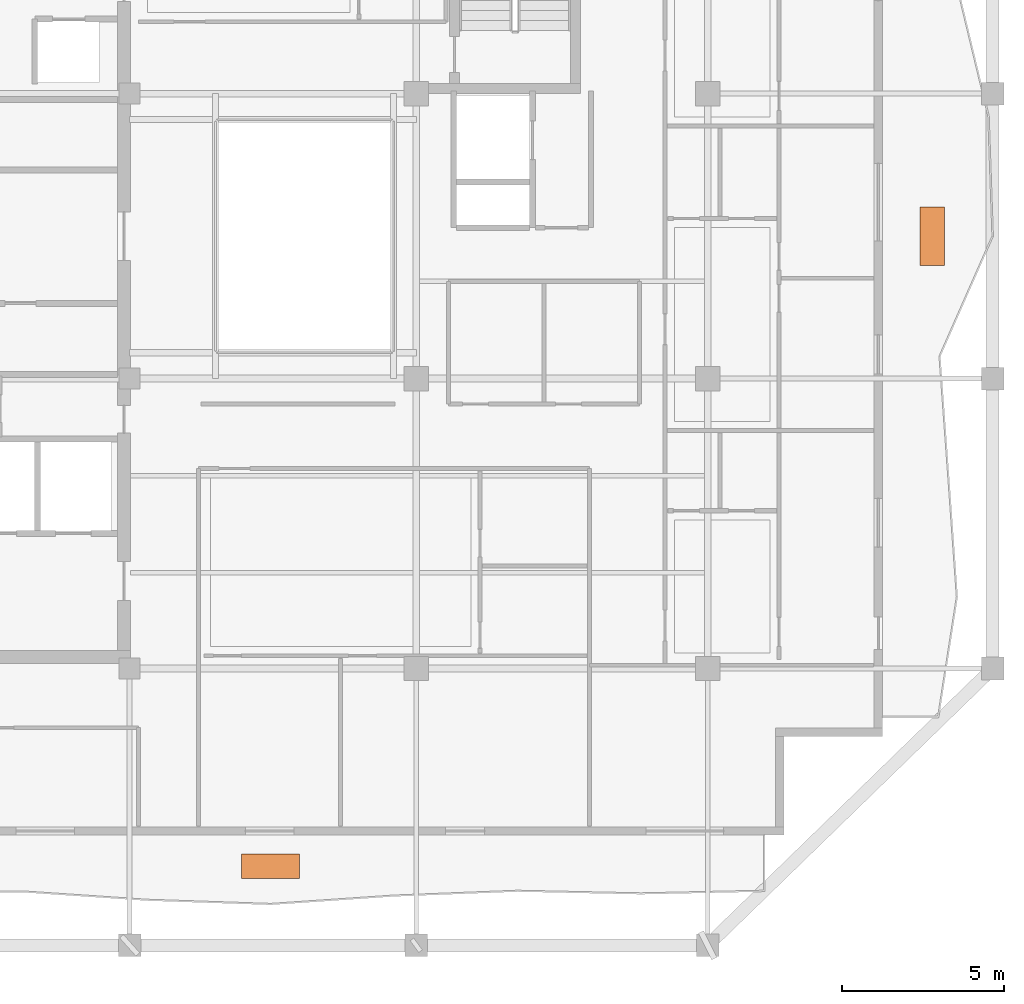
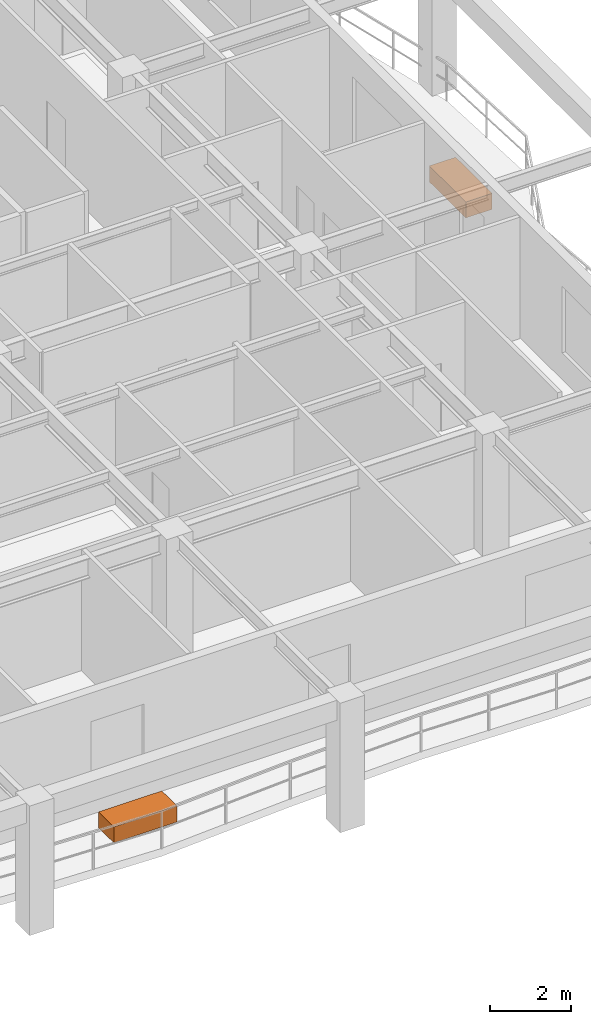
# One storey, part 10 of 10: 2 proxies.
"""IFC4 building model written with IfcOpenShell, lengths in metres."""

from ifc_helpers import new_model, si_unit, direction, frame, origin, origin_2d, place, context, subcontext, project, spatial, rectangle, extrude, material, type_object, element, save


model = new_model("IFC4")

# Units and contexts
model_context = context("Model", 3, precision=1e-05, world=origin(), true_north=direction((0.0, 1.0)))
body_context = subcontext(model_context, "Body", "Model", "MODEL_VIEW")
ifc_project = project(units=[si_unit("LENGTHUNIT", "METRE"), si_unit("AREAUNIT", "SQUARE_METRE"), si_unit("VOLUMEUNIT", "CUBIC_METRE"), si_unit("PLANEANGLEUNIT", "RADIAN"), si_unit("MASSUNIT", "GRAM", prefix="KILO")], contexts=[model_context])

# Site, building, storey
site_placement = place(None, origin())
site = spatial("IfcSite", under=ifc_project, at=site_placement, CompositionType="ELEMENT")
building_placement = place(site_placement, origin())
building = spatial("IfcBuilding", under=site, at=building_placement, Name="Kundavana Baori Tower", CompositionType="ELEMENT")
storey_placement = place(building_placement, frame((0.0, 0.0, 288.199951171875)))
storey = spatial("IfcBuildingStorey", under=building, at=storey_placement, Name="L71", CompositionType="ELEMENT", Elevation=288.199951171875)

# Proxies
ifc_material = material(Name="Red-Buff Dholpur Sandstone Cladding on Concrete C40/50", Category="masonry")
building_element_proxy_type = type_object("IfcBuildingElementProxyType", Name="PRX-PLANTER-1800", PredefinedType="USERDEFINED", material=ifc_material)
for number, where, z_axis, x_axis, name in (
    (1, (29.300048828125, 9.14208984375, 0.0), (0.0, 0.0, 1.0), (1.0, 0.0, 0.0), "L71 Dholpur Stone Structural Tree Planter S"),
    (2, (49.72998046875, 28.60009765625, 0.0), (0.0, 0.0, 1.0), (0.0, 1.0, 0.0), "L71 Dholpur Stone Structural Tree Planter E"),
):
    element("IfcBuildingElementProxy", number, at=place(storey_placement, frame(where, z_axis=z_axis, x_axis=x_axis)), inside=storey, type_object=building_element_proxy_type, Name=name, ObjectType="PLANTER", PredefinedType="USERDEFINED", context=body_context, shape_type="SweptSolid", body=[
        extrude(rectangle(XDim=1.800048828125, YDim=0.75, at=origin_2d()), origin(), (0.0, 0.0, 1.0), 0.47998046875),
    ])

save(model, "model.ifc")
